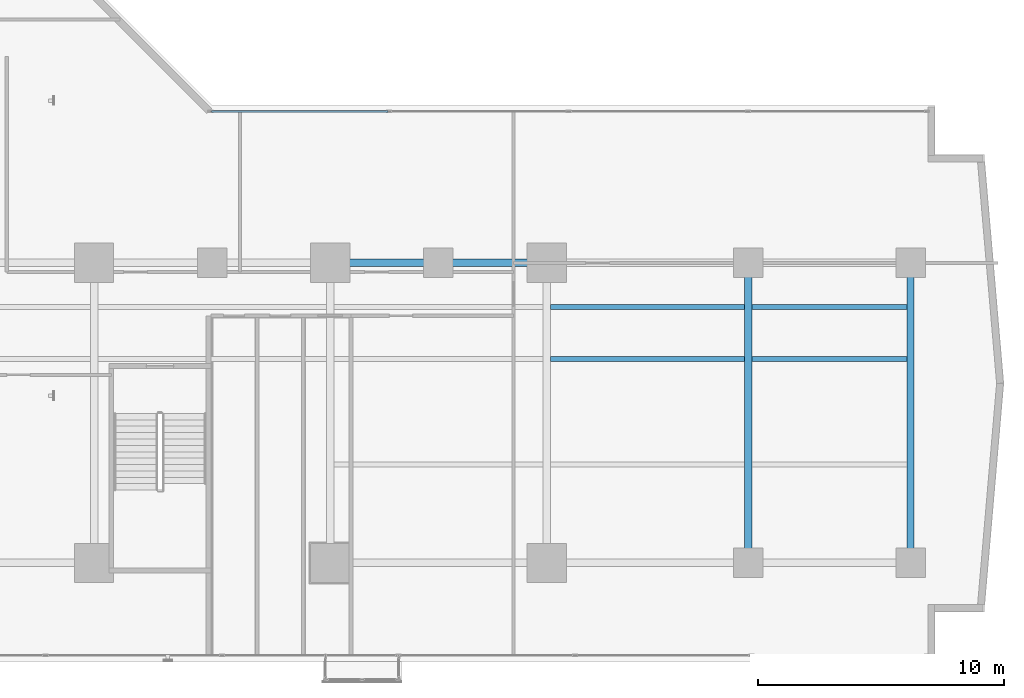
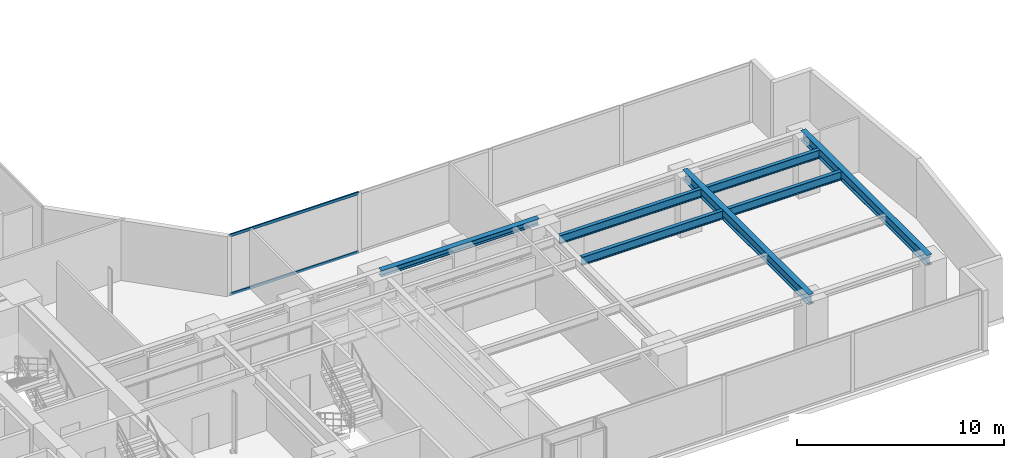
# One storey, part 12 of 28: 7 beams, 2 members, 1 element without a shape of its own.
"""IFC4 building model written with IfcOpenShell, lengths in metres."""

from ifc_helpers import new_model, si_unit, direction, frame, origin, origin_with_axes, origin_2d, place, context, subcontext, project, spatial, hollow_rectangle, i_section, extrude, source, transform, mapped, material, layer, layer_set, material_profile, profile_set, type_object, element, aggregate, save


model = new_model("IFC4")

# Units and contexts
model_context = context("Model", 3, precision=1e-05, world=origin(), true_north=direction((0.0, 1.0)))
body_context = subcontext(model_context, "Body", "Model", "MODEL_VIEW")
ifc_project = project(units=[si_unit("LENGTHUNIT", "METRE"), si_unit("AREAUNIT", "SQUARE_METRE"), si_unit("VOLUMEUNIT", "CUBIC_METRE"), si_unit("PLANEANGLEUNIT", "RADIAN"), si_unit("MASSUNIT", "GRAM", prefix="KILO")], contexts=[model_context])

# Site, building, storey
site_placement = place(None, origin())
site = spatial("IfcSite", under=ifc_project, at=site_placement, CompositionType="ELEMENT")
building_placement = place(site_placement, origin())
building = spatial("IfcBuilding", under=site, at=building_placement, Name="Kolvaren Waterfront Exchange", CompositionType="ELEMENT")
storey_placement = place(building_placement, frame((0.0, 0.0, 41.0)))
storey = spatial("IfcBuildingStorey", under=building, at=storey_placement, Name="L10", CompositionType="ELEMENT", Elevation=41.0)

# Beams
ifc_material_1 = material(Name="Steel S355", Category="steel")
ifc_material_profile_1 = material_profile(ifc_material_1, i_section(OverallWidth=0.300048828125, OverallDepth=0.360107421875, WebThickness=0.012451171875, FlangeThickness=0.0224609375, FilletRadius=0.027099609375, at=origin_2d()), Name="HEB360")
ifc_profile_set_1 = profile_set([ifc_material_profile_1], Name="Steel S355")
beam_type_1 = type_object("IfcBeamType", Name="STR-BM-HEB360", PredefinedType="SPANDREL", material=ifc_profile_set_1)
beam_placement = place(storey_placement, frame((36.800048828125, 17.39990234375, 3.360107421875), z_axis=(1.0, 0.0, 0.0), x_axis=(0.0, 1.0, 0.0)))
element("IfcBeam", 1, at=beam_placement, inside=storey, type_object=beam_type_1, Name="L10 east-arm spandrel N3", PredefinedType="SPANDREL", context=body_context, shape_type="SweptSolid", body=[
    extrude(i_section(OverallWidth=0.300048828125, OverallDepth=0.360107421875, WebThickness=0.012451171875, FlangeThickness=0.0224609375, FilletRadius=0.027099609375, at=origin_2d()), origin(), (0.0, 0.0, 1.0), 8.800048828125),
])
ifc_material_profile_2 = material_profile(ifc_material_1, i_section(OverallWidth=0.300048828125, OverallDepth=0.60009765625, WebThickness=0.015380859375, FlangeThickness=0.030029296875, FilletRadius=0.027099609375, at=origin_2d()), Name="HEB600")
ifc_profile_set_2 = profile_set([ifc_material_profile_2], Name="Steel S355")
beam_type_2 = type_object("IfcBeamType", Name="STR-BM-HEB600", PredefinedType="BEAM", material=ifc_profile_set_2)
for number, where, z_axis, x_axis, name in (
    (2, (53.800048828125, 5.199951171875, 3.239990234375), (0.0, 1.0, 0.0), (-1.0, 0.0, 0.0), "L10 east-arm transverse girder X53"),
    (3, (60.39990234375, 5.199951171875, 3.239990234375), (0.0, 1.0, 0.0), (-1.0, 0.0, 0.0), "L10 east-arm transverse girder X60"),
):
    element("IfcBeam", number, at=place(storey_placement, frame(where, z_axis=z_axis, x_axis=x_axis)), inside=storey, type_object=beam_type_2, Name=name, PredefinedType="BEAM", context=body_context, shape_type="SweptSolid", body=[
        extrude(i_section(OverallWidth=0.300048828125, OverallDepth=0.60009765625, WebThickness=0.015380859375, FlangeThickness=0.030029296875, FilletRadius=0.027099609375, at=origin_2d()), origin(), (0.0, 0.0, 1.0), 12.199951171875),
    ])
ifc_material_profile_3 = material_profile(ifc_material_1, i_section(OverallWidth=0.199951171875, OverallDepth=0.5, WebThickness=0.01025390625, FlangeThickness=0.01611328125, FilletRadius=0.02099609375, at=origin_2d()), Name="IPE500")
ifc_profile_set_3 = profile_set([ifc_material_profile_3], Name="Steel S355")
beam_type_3 = type_object("IfcBeamType", Name="STR-BM-IPE500", PredefinedType="JOIST", material=ifc_profile_set_3)
for number, where, z_axis, x_axis, name in (
    (4, (45.751953125, 13.5, 3.2900390625), (1.0, 0.0, 0.0), (0.0, 1.0, 0.0), "L10 east-arm composite joist 4A"),
    (5, (45.751953125, 15.60009765625, 3.2900390625), (1.0, 0.0, 0.0), (0.0, 1.0, 0.0), "L10 east-arm composite joist 4C"),
):
    element("IfcBeam", number, at=place(storey_placement, frame(where, z_axis=z_axis, x_axis=x_axis)), inside=storey, type_object=beam_type_3, Name=name, PredefinedType="JOIST", context=body_context, shape_type="SweptSolid", body=[
        extrude(i_section(OverallWidth=0.199951171875, OverallDepth=0.5, WebThickness=0.01025390625, FlangeThickness=0.01611328125, FilletRadius=0.02099609375, at=origin_2d()), origin(), (0.0, 0.0, 1.0), 7.89599609375),
    ])
for number, where, z_axis, x_axis, name in (
    (6, (53.951904296875, 13.5, 3.2900390625), (1.0, 0.0, 0.0), (0.0, 1.0, 0.0), "L10 east-arm composite joist 5A"),
    (7, (53.951904296875, 15.60009765625, 3.2900390625), (1.0, 0.0, 0.0), (0.0, 1.0, 0.0), "L10 east-arm composite joist 5C"),
):
    element("IfcBeam", number, at=place(storey_placement, frame(where, z_axis=z_axis, x_axis=x_axis)), inside=storey, type_object=beam_type_3, Name=name, PredefinedType="JOIST", context=body_context, shape_type="SweptSolid", body=[
        extrude(i_section(OverallWidth=0.199951171875, OverallDepth=0.5, WebThickness=0.01025390625, FlangeThickness=0.01611328125, FilletRadius=0.02099609375, at=origin_2d()), origin(), (0.0, 0.0, 1.0), 6.296142578125),
    ])

# Curtain wall, members
ifc_material_2 = material(Name="Anodised bronze aluminium 6063-T6", Category="aluminium")
ifc_layer = layer(ifc_material_2, 0.219970703125, Name="Anodised bronze aluminium 6063-T6")
ifc_layer_set = layer_set([ifc_layer], Name="Anodised bronze aluminium 6063-T6")
curtain_wall_type = type_object("IfcCurtainWallType", Name="ARC-CW-SYS1", PredefinedType="USERDEFINED", material=ifc_layer_set)
curtain_wall_placement = place(storey_placement, origin())
curtain_wall = element("IfcCurtainWall", 8, at=curtain_wall_placement, inside=storey, type_object=curtain_wall_type, Name="L10 stick curtain wall CW1 (CW-L10-EN)", ObjectType="STICK CURTAIN WALL", PredefinedType="USERDEFINED")
ifc_material_3 = material(Name="Anodised aluminium 6063-T6", Category="aluminium")
ifc_material_profile_4 = material_profile(ifc_material_3, hollow_rectangle(XDim=0.074951171875, YDim=0.159912109375, WallThickness=0.00439453125, at=origin_2d()), Name="ALU-TRN-160x75x4.5")
ifc_profile_set_4 = profile_set([ifc_material_profile_4], Name="Anodised aluminium 6063-T6")
member_type = type_object("IfcMemberType", Name="ARC-CWT-160", PredefinedType="USERDEFINED", material=ifc_profile_set_4)
shared_shape = source(origin_with_axes(), body_context, "Body", "SweptSolid", [
    extrude(hollow_rectangle(XDim=0.074951171875, YDim=0.159912109375, WallThickness=0.00439453125, at=origin_2d()), origin(), (0.0, 0.0, 1.0), 7.1826171875),
])
member_1_placement = place(storey_placement, frame((31.969970703125, 23.56005859375, 0.03759765625), z_axis=(1.0, 0.0, 0.0), x_axis=(0.0, 1.0, 0.0)))
member_1 = element("IfcMember", 9, at=member_1_placement, type_object=member_type, Name="CW1 transom 1.1", ObjectType="TRANSOM", PredefinedType="USERDEFINED", context=body_context, shape_type="MappedRepresentation", body=[
    mapped(shared_shape, transform((0.0, 0.0, 0.0), x_axis=(1.0, 0.0, 0.0), y_axis=(0.0, 1.0, 0.0), z_axis=(0.0, 0.0, 1.0), scale=1.0)),
])
member_2_placement = place(storey_placement, frame((31.969970703125, 23.56005859375, 3.50244140625), z_axis=(1.0, 0.0, 0.0), x_axis=(0.0, 1.0, 0.0)))
member_2 = element("IfcMember", 10, at=member_2_placement, type_object=member_type, Name="CW1 transom 1.2", ObjectType="TRANSOM", PredefinedType="USERDEFINED", context=body_context, shape_type="MappedRepresentation", body=[
    mapped(shared_shape, transform((0.0, 0.0, 0.0), x_axis=(1.0, 0.0, 0.0), y_axis=(0.0, 1.0, 0.0), z_axis=(0.0, 0.0, 1.0), scale=1.0)),
])
aggregate(curtain_wall, [member_1, member_2])

save(model, "model.ifc")
